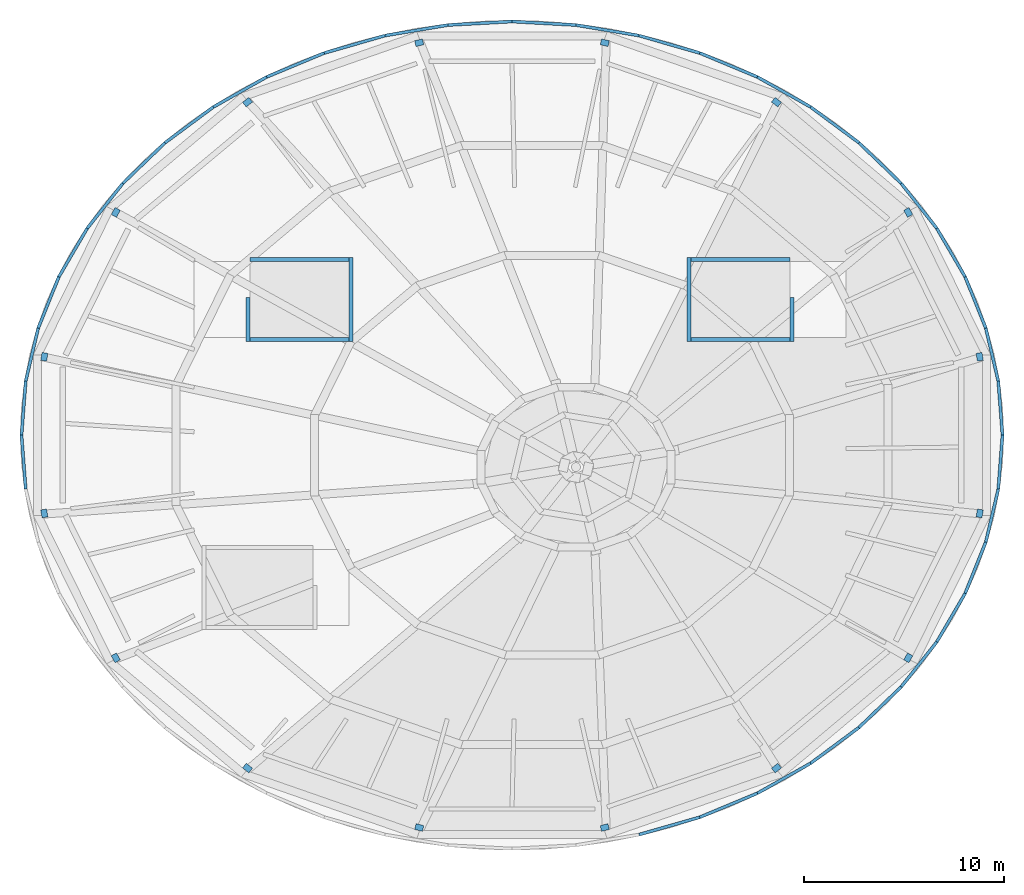
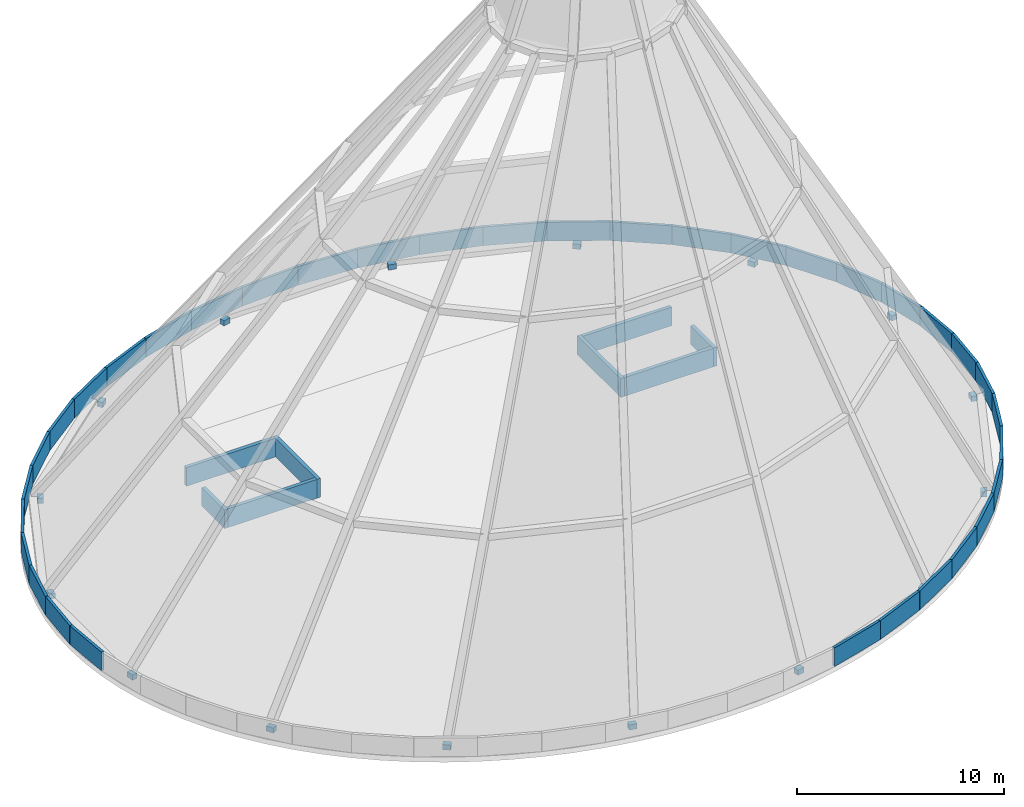
# One storey, part 6 of 7: 43 walls, 16 discrete accessories.
"""IFC4 building model written with IfcOpenShell, lengths in metres."""

from ifc_helpers import new_model, si_unit, direction, frame, frame_2d, origin, origin_2d, place, context, subcontext, project, spatial, rectangle, extrude, material, layer, layer_set, type_object, element, save


model = new_model("IFC4")

# Units and contexts
model_context = context("Model", 3, precision=1e-05, world=origin(), true_north=direction((0.0, 1.0)))
body_context = subcontext(model_context, "Body", "Model", "MODEL_VIEW")
ifc_project = project(units=[si_unit("LENGTHUNIT", "METRE"), si_unit("AREAUNIT", "SQUARE_METRE"), si_unit("VOLUMEUNIT", "CUBIC_METRE"), si_unit("PLANEANGLEUNIT", "RADIAN"), si_unit("MASSUNIT", "GRAM", prefix="KILO")], contexts=[model_context])

# Site, building, storey
site_placement = place(None, origin())
site = spatial("IfcSite", under=ifc_project, at=site_placement, CompositionType="ELEMENT")
building_placement = place(site_placement, origin())
building = spatial("IfcBuilding", under=site, at=building_placement, Name="Marenthal Gate Tower", CompositionType="ELEMENT")
storey_placement = place(building_placement, frame((0.0, 0.0, 423.550048828125)))
storey = spatial("IfcBuildingStorey", under=building, at=storey_placement, Name="RF", CompositionType="ELEMENT", Elevation=423.550048828125)

# Walls
ifc_material_1 = material(Name="Concrete 40 MPa", Category="concrete")
ifc_layer_1 = layer(ifc_material_1, 0.14990234375)
ifc_layer_set_1 = layer_set([ifc_layer_1], Name="Roof parapet 150")
wall_type_1 = type_object("IfcWallType", Name="Roof parapet 150", PredefinedType="PARAPET", material=ifc_layer_set_1)
wall_1_placement = place(storey_placement, frame((24.139892578125, 0.89990234375, 0.0), z_axis=(0.0, 0.0, 1.0), x_axis=(-0.077454954989, 0.996995852523, 0.0)))
element("IfcWall", 1, at=wall_1_placement, inside=storey, type_object=wall_type_1, Name="Roof parapet 1", PredefinedType="PARAPET", context=body_context, shape_type="SweptSolid", body=[
    extrude(rectangle(XDim=2.70751953125, YDim=0.14990234375, at=frame_2d((1.353759765625, 0.0))), origin(), (0.0, 0.0, 1.0), 1.099853515625),
])
wall_2_placement = place(storey_placement, frame((23.93017578125, 3.599365234375, 0.0), z_axis=(0.0, 0.0, 1.0), x_axis=(-0.229363793373, 0.973340767815, 0.0)))
element("IfcWall", 2, at=wall_2_placement, inside=storey, type_object=wall_type_1, Name="Roof parapet 2", PredefinedType="PARAPET", context=body_context, shape_type="SweptSolid", body=[
    extrude(rectangle(XDim=2.72607421875, YDim=0.14990234375, at=frame_2d((1.363037109375, 0.0))), origin(), (0.0, 0.0, 1.0), 1.099853515625),
])
wall_3_placement = place(storey_placement, frame((23.304931640625, 6.252685546875, 0.0), z_axis=(0.0, 0.0, 1.0), x_axis=(-0.373294973971, 0.927712704671, 0.0)))
element("IfcWall", 3, at=wall_3_placement, inside=storey, type_object=wall_type_1, Name="Roof parapet 3", PredefinedType="PARAPET", context=body_context, shape_type="SweptSolid", body=[
    extrude(rectangle(XDim=2.761962890625, YDim=0.14990234375, at=frame_2d((1.380859375, 0.0))), origin(), (0.0, 0.0, 1.0), 1.099853515625),
])
wall_4_placement = place(storey_placement, frame((22.27392578125, 8.81494140625, 0.0), z_axis=(0.0, 0.0, 1.0), x_axis=(-0.504615935568, 0.863343939326, 0.0)))
element("IfcWall", 4, at=wall_4_placement, inside=storey, type_object=wall_type_1, Name="Roof parapet 4", PredefinedType="PARAPET", context=body_context, shape_type="SweptSolid", body=[
    extrude(rectangle(XDim=2.8115234375, YDim=0.14990234375, at=frame_2d((1.40576171875, 0.0))), origin(), (0.0, 0.0, 1.0), 1.099853515625),
])
wall_5_placement = place(storey_placement, frame((20.855224609375, 11.2421875, 0.0), z_axis=(0.0, 0.0, 1.0), x_axis=(-0.620787889402, 0.783978568822, 0.0)))
element("IfcWall", 5, at=wall_5_placement, inside=storey, type_object=wall_type_1, Name="Roof parapet 5", PredefinedType="PARAPET", context=body_context, shape_type="SweptSolid", body=[
    extrude(rectangle(XDim=2.870849609375, YDim=0.14990234375, at=frame_2d((1.435546875, 0.0))), origin(), (0.0, 0.0, 1.0), 1.099853515625),
])
wall_6_placement = place(storey_placement, frame((19.072998046875, 13.492919921875, 0.0), z_axis=(0.0, 0.0, 1.0), x_axis=(-0.72065249013, 0.693296465063, 0.0)))
element("IfcWall", 6, at=wall_6_placement, inside=storey, type_object=wall_type_1, Name="Roof parapet 6", PredefinedType="PARAPET", context=body_context, shape_type="SweptSolid", body=[
    extrude(rectangle(XDim=2.936279296875, YDim=0.14990234375, at=frame_2d((1.46826171875, 0.0))), origin(), (0.0, 0.0, 1.0), 1.099853515625),
])
wall_7_placement = place(storey_placement, frame((16.95703125, 15.528564453125, 0.0), z_axis=(0.0, 0.0, 1.0), x_axis=(-0.80384812122, 0.594834597188, 0.0)))
element("IfcWall", 7, at=wall_7_placement, inside=storey, type_object=wall_type_1, Name="Roof parapet 7", PredefinedType="PARAPET", context=body_context, shape_type="SweptSolid", body=[
    extrude(rectangle(XDim=3.001953125, YDim=0.14990234375, at=frame_2d((1.5009765625, 0.0))), origin(), (0.0, 0.0, 1.0), 1.099853515625),
])
wall_8_placement = place(storey_placement, frame((14.5439453125, 17.314208984375, 0.0), z_axis=(0.0, 0.0, 1.0), x_axis=(-0.871092096257, 0.491119700112, 0.0)))
element("IfcWall", 8, at=wall_8_placement, inside=storey, type_object=wall_type_1, Name="Roof parapet 8", PredefinedType="PARAPET", context=body_context, shape_type="SweptSolid", body=[
    extrude(rectangle(XDim=3.064208984375, YDim=0.14990234375, at=frame_2d((1.5322265625, 0.0))), origin(), (0.0, 0.0, 1.0), 1.099853515625),
])
wall_9_placement = place(storey_placement, frame((11.874755859375, 18.819091796875, 0.0), z_axis=(0.0, 0.0, 1.0), x_axis=(-0.923259770308, 0.384176257115, 0.0)))
element("IfcWall", 9, at=wall_9_placement, inside=storey, type_object=wall_type_1, Name="Roof parapet 9", PredefinedType="PARAPET", context=body_context, shape_type="SweptSolid", body=[
    extrude(rectangle(XDim=3.118896484375, YDim=0.14990234375, at=frame_2d((1.5595703125, 0.0))), origin(), (0.0, 0.0, 1.0), 1.099853515625),
])
wall_10_placement = place(storey_placement, frame((8.9951171875, 20.017333984375, 0.0), z_axis=(0.0, 0.0, 1.0), x_axis=(-0.961351911395, 0.275322542589, 0.0)))
element("IfcWall", 10, at=wall_10_placement, inside=storey, type_object=wall_type_1, Name="Roof parapet 10", PredefinedType="PARAPET", context=body_context, shape_type="SweptSolid", body=[
    extrude(rectangle(XDim=3.1630859375, YDim=0.14990234375, at=frame_2d((1.58154296875, 0.0))), origin(), (0.0, 0.0, 1.0), 1.099853515625),
])
wall_11_placement = place(storey_placement, frame((5.954345703125, 20.88818359375, 0.0), z_axis=(0.0, 0.0, 1.0), x_axis=(-0.98620942701, 0.165502163358, 0.0)))
element("IfcWall", 11, at=wall_11_placement, inside=storey, type_object=wall_type_1, Name="Roof parapet 11", PredefinedType="PARAPET", context=body_context, shape_type="SweptSolid", body=[
    extrude(rectangle(XDim=3.193603515625, YDim=0.14990234375, at=frame_2d((1.5966796875, 0.0))), origin(), (0.0, 0.0, 1.0), 1.099853515625),
])
wall_12_placement = place(storey_placement, frame((2.8046875, 21.416748046875, 0.0), z_axis=(0.0, 0.0, 1.0), x_axis=(-0.998473898589, 0.055225662835, 0.0)))
element("IfcWall", 12, at=wall_12_placement, inside=storey, type_object=wall_type_1, Name="Roof parapet 12", PredefinedType="PARAPET", context=body_context, shape_type="SweptSolid", body=[
    extrude(rectangle(XDim=3.20947265625, YDim=0.14990234375, at=frame_2d((1.604736328125, 0.0))), origin(), (0.0, 0.0, 1.0), 1.099853515625),
])
wall_13_placement = place(storey_placement, frame((-0.39990234375, 21.593994140625, 0.0), z_axis=(0.0, 0.0, 1.0), x_axis=(-0.998474130562, -0.055221468636, 0.0)))
element("IfcWall", 13, at=wall_13_placement, inside=storey, type_object=wall_type_1, Name="Roof parapet 13", PredefinedType="PARAPET", context=body_context, shape_type="SweptSolid", body=[
    extrude(rectangle(XDim=3.209716796875, YDim=0.14990234375, at=frame_2d((1.60498046875, 0.0))), origin(), (0.0, 0.0, 1.0), 1.099853515625),
])
wall_14_placement = place(storey_placement, frame((-3.604736328125, 21.416748046875, 0.0), z_axis=(0.0, 0.0, 1.0), x_axis=(-0.986207332887, -0.165514641527, 0.0)))
element("IfcWall", 14, at=wall_14_placement, inside=storey, type_object=wall_type_1, Name="Roof parapet 14", PredefinedType="PARAPET", context=body_context, shape_type="SweptSolid", body=[
    extrude(rectangle(XDim=3.193359375, YDim=0.14990234375, at=frame_2d((1.5966796875, 0.0))), origin(), (0.0, 0.0, 1.0), 1.099853515625),
])
wall_15_placement = place(storey_placement, frame((-6.754150390625, 20.88818359375, 0.0), z_axis=(0.0, 0.0, 1.0), x_axis=(-0.961357761637, -0.275302114303, 0.0)))
element("IfcWall", 15, at=wall_15_placement, inside=storey, type_object=wall_type_1, Name="Roof parapet 15", PredefinedType="PARAPET", context=body_context, shape_type="SweptSolid", body=[
    extrude(rectangle(XDim=3.163330078125, YDim=0.14990234375, at=frame_2d((1.58154296875, 0.0))), origin(), (0.0, 0.0, 1.0), 1.099853515625),
])
wall_16_placement = place(storey_placement, frame((-9.795166015625, 20.017333984375, 0.0), z_axis=(0.0, 0.0, 1.0), x_axis=(-0.923248216262, -0.384204022843, 0.0)))
element("IfcWall", 16, at=wall_16_placement, inside=storey, type_object=wall_type_1, Name="Roof parapet 16", PredefinedType="PARAPET", context=body_context, shape_type="SweptSolid", body=[
    extrude(rectangle(XDim=3.11865234375, YDim=0.14990234375, at=frame_2d((1.559326171875, 0.0))), origin(), (0.0, 0.0, 1.0), 1.099853515625),
])
wall_17_placement = place(storey_placement, frame((-12.674560546875, 18.819091796875, 0.0), z_axis=(0.0, 0.0, 1.0), x_axis=(-0.871111311869, -0.491085616093, 0.0)))
element("IfcWall", 17, at=wall_17_placement, inside=storey, type_object=wall_type_1, Name="Roof parapet 17", PredefinedType="PARAPET", context=body_context, shape_type="SweptSolid", body=[
    extrude(rectangle(XDim=3.064453125, YDim=0.14990234375, at=frame_2d((1.5322265625, 0.0))), origin(), (0.0, 0.0, 1.0), 1.099853515625),
])
wall_18_placement = place(storey_placement, frame((-15.343994140625, 17.314208984375, 0.0), z_axis=(0.0, 0.0, 1.0), x_axis=(-0.80384812122, -0.594834597188, 0.0)))
element("IfcWall", 18, at=wall_18_placement, inside=storey, type_object=wall_type_1, Name="Roof parapet 18", PredefinedType="PARAPET", context=body_context, shape_type="SweptSolid", body=[
    extrude(rectangle(XDim=3.001953125, YDim=0.14990234375, at=frame_2d((1.5009765625, 0.0))), origin(), (0.0, 0.0, 1.0), 1.099853515625),
])
wall_19_placement = place(storey_placement, frame((-17.757080078125, 15.528564453125, 0.0), z_axis=(0.0, 0.0, 1.0), x_axis=(-0.720612520134, -0.693338009795, 0.0)))
element("IfcWall", 19, at=wall_19_placement, inside=storey, type_object=wall_type_1, Name="Roof parapet 19", PredefinedType="PARAPET", context=body_context, shape_type="SweptSolid", body=[
    extrude(rectangle(XDim=2.93603515625, YDim=0.14990234375, at=frame_2d((1.468017578125, 0.0))), origin(), (0.0, 0.0, 1.0), 1.099853515625),
])
wall_20_placement = place(storey_placement, frame((-19.872802734375, 13.492919921875, 0.0), z_axis=(0.0, 0.0, 1.0), x_axis=(-0.620840152406, -0.783937181897, 0.0)))
element("IfcWall", 20, at=wall_20_placement, inside=storey, type_object=wall_type_1, Name="Roof parapet 20", PredefinedType="PARAPET", context=body_context, shape_type="SweptSolid", body=[
    extrude(rectangle(XDim=2.87109375, YDim=0.14990234375, at=frame_2d((1.435546875, 0.0))), origin(), (0.0, 0.0, 1.0), 1.099853515625),
])
wall_21_placement = place(storey_placement, frame((-21.6552734375, 11.2421875, 0.0), z_axis=(0.0, 0.0, 1.0), x_axis=(-0.504615935568, -0.863343939326, 0.0)))
element("IfcWall", 21, at=wall_21_placement, inside=storey, type_object=wall_type_1, Name="Roof parapet 21", PredefinedType="PARAPET", context=body_context, shape_type="SweptSolid", body=[
    extrude(rectangle(XDim=2.8115234375, YDim=0.14990234375, at=frame_2d((1.40576171875, 0.0))), origin(), (0.0, 0.0, 1.0), 1.099853515625),
])
wall_22_placement = place(storey_placement, frame((-23.073974609375, 8.81494140625, 0.0), z_axis=(0.0, 0.0, 1.0), x_axis=(-0.373218892384, -0.927743314914, 0.0)))
element("IfcWall", 22, at=wall_22_placement, inside=storey, type_object=wall_type_1, Name="Roof parapet 22", PredefinedType="PARAPET", context=body_context, shape_type="SweptSolid", body=[
    extrude(rectangle(XDim=2.76171875, YDim=0.14990234375, at=frame_2d((1.380859375, 0.0))), origin(), (0.0, 0.0, 1.0), 1.099853515625),
])
wall_23_placement = place(storey_placement, frame((-24.104736328125, 6.252685546875, 0.0), z_axis=(0.0, 0.0, 1.0), x_axis=(-0.229448639442, -0.97332077028, 0.0)))
element("IfcWall", 23, at=wall_23_placement, inside=storey, type_object=wall_type_1, Name="Roof parapet 23", PredefinedType="PARAPET", context=body_context, shape_type="SweptSolid", body=[
    extrude(rectangle(XDim=2.72607421875, YDim=0.14990234375, at=frame_2d((1.363037109375, 0.0))), origin(), (0.0, 0.0, 1.0), 1.099853515625),
])
wall_24_placement = place(storey_placement, frame((-24.730224609375, 3.599365234375, 0.0), z_axis=(0.0, 0.0, 1.0), x_axis=(-0.077454954989, -0.996995852523, 0.0)))
element("IfcWall", 24, at=wall_24_placement, inside=storey, type_object=wall_type_1, Name="Roof parapet 24", PredefinedType="PARAPET", context=body_context, shape_type="SweptSolid", body=[
    extrude(rectangle(XDim=2.70751953125, YDim=0.14990234375, at=frame_2d((1.353759765625, 0.0))), origin(), (0.0, 0.0, 1.0), 1.099853515625),
])
wall_25_placement = place(storey_placement, frame((-24.93994140625, 0.89990234375, 0.0), z_axis=(0.0, 0.0, 1.0), x_axis=(0.077461918649, -0.996995311503, 0.0)))
element("IfcWall", 25, at=wall_25_placement, inside=storey, type_object=wall_type_1, Name="Roof parapet 25", PredefinedType="PARAPET", context=body_context, shape_type="SweptSolid", body=[
    extrude(rectangle(XDim=2.707275390625, YDim=0.14990234375, at=frame_2d((1.353515625, 0.0))), origin(), (0.0, 0.0, 1.0), 1.099853515625),
])
wall_26_placement = place(storey_placement, frame((5.954345703125, -19.088134765625, 0.0), z_axis=(0.0, 0.0, 1.0), x_axis=(0.961351911395, 0.275322542589, 0.0)))
element("IfcWall", 26, at=wall_26_placement, inside=storey, type_object=wall_type_1, Name="Roof parapet 39", PredefinedType="PARAPET", context=body_context, shape_type="SweptSolid", body=[
    extrude(rectangle(XDim=3.1630859375, YDim=0.14990234375, at=frame_2d((1.58154296875, 0.0))), origin(), (0.0, 0.0, 1.0), 1.099853515625),
])
wall_27_placement = place(storey_placement, frame((8.9951171875, -18.21728515625, 0.0), z_axis=(0.0, 0.0, 1.0), x_axis=(0.923259770308, 0.384176257115, 0.0)))
element("IfcWall", 27, at=wall_27_placement, inside=storey, type_object=wall_type_1, Name="Roof parapet 40", PredefinedType="PARAPET", context=body_context, shape_type="SweptSolid", body=[
    extrude(rectangle(XDim=3.118896484375, YDim=0.14990234375, at=frame_2d((1.5595703125, 0.0))), origin(), (0.0, 0.0, 1.0), 1.099853515625),
])
wall_28_placement = place(storey_placement, frame((11.874755859375, -17.01904296875, 0.0), z_axis=(0.0, 0.0, 1.0), x_axis=(0.871092096257, 0.491119700112, 0.0)))
element("IfcWall", 28, at=wall_28_placement, inside=storey, type_object=wall_type_1, Name="Roof parapet 41", PredefinedType="PARAPET", context=body_context, shape_type="SweptSolid", body=[
    extrude(rectangle(XDim=3.064208984375, YDim=0.14990234375, at=frame_2d((1.5322265625, 0.0))), origin(), (0.0, 0.0, 1.0), 1.099853515625),
])
wall_29_placement = place(storey_placement, frame((14.5439453125, -15.51416015625, 0.0), z_axis=(0.0, 0.0, 1.0), x_axis=(0.80384812122, 0.594834597188, 0.0)))
element("IfcWall", 29, at=wall_29_placement, inside=storey, type_object=wall_type_1, Name="Roof parapet 42", PredefinedType="PARAPET", context=body_context, shape_type="SweptSolid", body=[
    extrude(rectangle(XDim=3.001953125, YDim=0.14990234375, at=frame_2d((1.5009765625, 0.0))), origin(), (0.0, 0.0, 1.0), 1.099853515625),
])
wall_30_placement = place(storey_placement, frame((16.95703125, -13.728515625, 0.0), z_axis=(0.0, 0.0, 1.0), x_axis=(0.72065249013, 0.693296465063, 0.0)))
element("IfcWall", 30, at=wall_30_placement, inside=storey, type_object=wall_type_1, Name="Roof parapet 43", PredefinedType="PARAPET", context=body_context, shape_type="SweptSolid", body=[
    extrude(rectangle(XDim=2.936279296875, YDim=0.14990234375, at=frame_2d((1.46826171875, 0.0))), origin(), (0.0, 0.0, 1.0), 1.099853515625),
])
wall_31_placement = place(storey_placement, frame((19.072998046875, -11.69287109375, 0.0), z_axis=(0.0, 0.0, 1.0), x_axis=(0.620787889402, 0.783978568822, 0.0)))
element("IfcWall", 31, at=wall_31_placement, inside=storey, type_object=wall_type_1, Name="Roof parapet 44", PredefinedType="PARAPET", context=body_context, shape_type="SweptSolid", body=[
    extrude(rectangle(XDim=2.870849609375, YDim=0.14990234375, at=frame_2d((1.435546875, 0.0))), origin(), (0.0, 0.0, 1.0), 1.099853515625),
])
wall_32_placement = place(storey_placement, frame((20.855224609375, -9.442138671875, 0.0), z_axis=(0.0, 0.0, 1.0), x_axis=(0.504615935568, 0.863343939326, 0.0)))
element("IfcWall", 32, at=wall_32_placement, inside=storey, type_object=wall_type_1, Name="Roof parapet 45", PredefinedType="PARAPET", context=body_context, shape_type="SweptSolid", body=[
    extrude(rectangle(XDim=2.8115234375, YDim=0.14990234375, at=frame_2d((1.40576171875, 0.0))), origin(), (0.0, 0.0, 1.0), 1.099853515625),
])
wall_33_placement = place(storey_placement, frame((22.27392578125, -7.014892578125, 0.0), z_axis=(0.0, 0.0, 1.0), x_axis=(0.373294973971, 0.927712704671, 0.0)))
element("IfcWall", 33, at=wall_33_placement, inside=storey, type_object=wall_type_1, Name="Roof parapet 46", PredefinedType="PARAPET", context=body_context, shape_type="SweptSolid", body=[
    extrude(rectangle(XDim=2.761962890625, YDim=0.14990234375, at=frame_2d((1.380859375, 0.0))), origin(), (0.0, 0.0, 1.0), 1.099853515625),
])
wall_34_placement = place(storey_placement, frame((23.304931640625, -4.45263671875, 0.0), z_axis=(0.0, 0.0, 1.0), x_axis=(0.229363793373, 0.973340767815, 0.0)))
element("IfcWall", 34, at=wall_34_placement, inside=storey, type_object=wall_type_1, Name="Roof parapet 47", PredefinedType="PARAPET", context=body_context, shape_type="SweptSolid", body=[
    extrude(rectangle(XDim=2.72607421875, YDim=0.14990234375, at=frame_2d((1.363037109375, 0.0))), origin(), (0.0, 0.0, 1.0), 1.099853515625),
])
wall_35_placement = place(storey_placement, frame((23.93017578125, -1.79931640625, 0.0), z_axis=(0.0, 0.0, 1.0), x_axis=(0.077461918649, 0.996995311503, 0.0)))
element("IfcWall", 35, at=wall_35_placement, inside=storey, type_object=wall_type_1, Name="Roof parapet 48", PredefinedType="PARAPET", context=body_context, shape_type="SweptSolid", body=[
    extrude(rectangle(XDim=2.707275390625, YDim=0.14990234375, at=frame_2d((1.353515625, 0.0))), origin(), (0.0, 0.0, 1.0), 1.099853515625),
])
ifc_material_2 = material(Name="Concrete 40 MPa", Category="concrete")
ifc_layer_2 = layer(ifc_material_2, 0.199951171875)
ifc_layer_set_2 = layer_set([ifc_layer_2], Name="Roof upstand wall 200")
wall_type_2 = type_object("IfcWallType", Name="Roof upstand wall 200", PredefinedType="STANDARD", material=ifc_layer_set_2)
wall_36_placement = place(storey_placement, frame((-13.5, 5.675048828125, 0.0), z_axis=(0.0, 0.0, 1.0), x_axis=(1.0, 0.0, 0.0)))
element("IfcWall", 36, at=wall_36_placement, inside=storey, type_object=wall_type_2, Name="Roof wall 01", PredefinedType="STANDARD", context=body_context, shape_type="SweptSolid", body=[
    extrude(rectangle(XDim=5.14990234375, YDim=0.199951171875, at=frame_2d((2.574951171875, 0.0))), origin(), (0.0, 0.0, 1.0), 1.099853515625),
])
wall_37_placement = place(storey_placement, frame((-8.449951171875, 5.574951171875, 0.0), z_axis=(0.0, 0.0, 1.0), x_axis=(0.0, 1.0, 0.0)))
element("IfcWall", 37, at=wall_37_placement, inside=storey, type_object=wall_type_2, Name="Roof wall 02", PredefinedType="STANDARD", context=body_context, shape_type="SweptSolid", body=[
    extrude(rectangle(XDim=4.199951171875, YDim=0.199951171875, at=frame_2d((2.10009765625, 0.0))), origin(), (0.0, 0.0, 1.0), 1.099853515625),
])
wall_38_placement = place(storey_placement, frame((-13.5, 9.675048828125, 0.0), z_axis=(0.0, 0.0, 1.0), x_axis=(1.0, 0.0, 0.0)))
element("IfcWall", 38, at=wall_38_placement, inside=storey, type_object=wall_type_2, Name="Roof wall 03", PredefinedType="STANDARD", context=body_context, shape_type="SweptSolid", body=[
    extrude(rectangle(XDim=5.14990234375, YDim=0.199951171875, at=frame_2d((2.574951171875, 0.0))), origin(), (0.0, 0.0, 1.0), 1.099853515625),
])
wall_39_placement = place(storey_placement, frame((-13.60009765625, 5.574951171875, 0.0), z_axis=(0.0, 0.0, 1.0), x_axis=(0.0, 1.0, 0.0)))
element("IfcWall", 39, at=wall_39_placement, inside=storey, type_object=wall_type_2, Name="Roof wall 04", PredefinedType="STANDARD", context=body_context, shape_type="SweptSolid", body=[
    extrude(rectangle(XDim=2.199951171875, YDim=0.199951171875, at=frame_2d((1.10009765625, 0.0))), origin(), (0.0, 0.0, 1.0), 1.099853515625),
])
wall_40_placement = place(storey_placement, frame((13.5, 5.675048828125, 0.0), z_axis=(0.0, 0.0, 1.0), x_axis=(-1.0, 0.0, 0.0)))
element("IfcWall", 40, at=wall_40_placement, inside=storey, type_object=wall_type_2, Name="Roof wall 09", PredefinedType="STANDARD", context=body_context, shape_type="SweptSolid", body=[
    extrude(rectangle(XDim=5.14990234375, YDim=0.199951171875, at=frame_2d((2.574951171875, 0.0))), origin(), (0.0, 0.0, 1.0), 1.099853515625),
])
wall_41_placement = place(storey_placement, frame((8.449951171875, 5.574951171875, 0.0), z_axis=(0.0, 0.0, 1.0), x_axis=(0.0, 1.0, 0.0)))
element("IfcWall", 41, at=wall_41_placement, inside=storey, type_object=wall_type_2, Name="Roof wall 10", PredefinedType="STANDARD", context=body_context, shape_type="SweptSolid", body=[
    extrude(rectangle(XDim=4.199951171875, YDim=0.199951171875, at=frame_2d((2.10009765625, 0.0))), origin(), (0.0, 0.0, 1.0), 1.099853515625),
])
wall_42_placement = place(storey_placement, frame((13.5, 9.675048828125, 0.0), z_axis=(0.0, 0.0, 1.0), x_axis=(-1.0, 0.0, 0.0)))
element("IfcWall", 42, at=wall_42_placement, inside=storey, type_object=wall_type_2, Name="Roof wall 11", PredefinedType="STANDARD", context=body_context, shape_type="SweptSolid", body=[
    extrude(rectangle(XDim=5.14990234375, YDim=0.199951171875, at=frame_2d((2.574951171875, 0.0))), origin(), (0.0, 0.0, 1.0), 1.099853515625),
])
wall_43_placement = place(storey_placement, frame((13.60009765625, 5.574951171875, 0.0), z_axis=(0.0, 0.0, 1.0), x_axis=(0.0, 1.0, 0.0)))
element("IfcWall", 43, at=wall_43_placement, inside=storey, type_object=wall_type_2, Name="Roof wall 12", PredefinedType="STANDARD", context=body_context, shape_type="SweptSolid", body=[
    extrude(rectangle(XDim=2.199951171875, YDim=0.199951171875, at=frame_2d((1.10009765625, 0.0))), origin(), (0.0, 0.0, 1.0), 1.099853515625),
])

# Discrete accessories
ifc_material_3 = material(Name="Steel S355", Category="steel")
discrete_accessory_type = type_object("IfcDiscreteAccessoryType", Name="Crown hip anchor bracket", PredefinedType="BRACKET", material=ifc_material_3)
for number, where, z_axis, x_axis, name in (
    (44, (22.998779296875, 4.815185546875, 0.0), (0.0, 0.0, 1.0), (0.165025922086, -0.986289229912, 0.0), "Crown hip anchor bracket 1"),
    (45, (19.423828125, 12.0419921875, 0.0), (0.0, 0.0, 1.0), (0.489966021142, -0.87174153172, 0.0), "Crown hip anchor bracket 2"),
    (46, (12.831787109375, 17.5576171875, 0.0), (0.0, 0.0, 1.0), (0.783026074035, -0.621988880433, 0.0), "Crown hip anchor bracket 3"),
    (47, (4.2421875, 20.53125, 0.0), (0.0, 0.0, 1.0), (0.973161470114, -0.230123343198, 0.0), "Crown hip anchor bracket 4"),
    (48, (-5.042236328125, 20.53125, 0.0), (0.0, 0.0, 1.0), (0.973161470114, 0.230123343198, 0.0), "Crown hip anchor bracket 5"),
    (49, (-13.6318359375, 17.5576171875, 0.0), (0.0, 0.0, 1.0), (0.783026074035, 0.621988880433, 0.0), "Crown hip anchor bracket 6"),
    (50, (-20.2236328125, 12.0419921875, 0.0), (0.0, 0.0, 1.0), (0.489966021142, 0.87174153172, 0.0), "Crown hip anchor bracket 7"),
    (51, (-23.798583984375, 4.815185546875, 0.0), (0.0, 0.0, 1.0), (0.165025922086, 0.986289229912, 0.0), "Crown hip anchor bracket 8"),
    (52, (-23.798583984375, -3.01513671875, 0.0), (0.0, 0.0, 1.0), (-0.165025922086, 0.986289229912, 0.0), "Crown hip anchor bracket 9"),
    (53, (-20.2236328125, -10.241943359375, 0.0), (0.0, 0.0, 1.0), (-0.489966021142, 0.87174153172, 0.0), "Crown hip anchor bracket 10"),
    (54, (-13.6318359375, -15.757568359375, 0.0), (0.0, 0.0, 1.0), (-0.783026074035, 0.621988880433, 0.0), "Crown hip anchor bracket 11"),
    (55, (-5.042236328125, -18.731201171875, 0.0), (0.0, 0.0, 1.0), (-0.973161470114, 0.230123343198, 0.0), "Crown hip anchor bracket 12"),
    (56, (4.2421875, -18.731201171875, 0.0), (0.0, 0.0, 1.0), (-0.973161470114, -0.230123343198, 0.0), "Crown hip anchor bracket 13"),
    (57, (12.831787109375, -15.757568359375, 0.0), (0.0, 0.0, 1.0), (-0.783026074035, -0.621988880433, 0.0), "Crown hip anchor bracket 14"),
    (58, (19.423828125, -10.241943359375, 0.0), (0.0, 0.0, 1.0), (-0.489966021142, -0.87174153172, 0.0), "Crown hip anchor bracket 15"),
    (59, (22.998779296875, -3.01513671875, 0.0), (0.0, 0.0, 1.0), (-0.165025922086, -0.986289229912, 0.0), "Crown hip anchor bracket 16"),
):
    element("IfcDiscreteAccessory", number, at=place(storey_placement, frame(where, z_axis=z_axis, x_axis=x_axis)), inside=storey, type_object=discrete_accessory_type, Name=name, PredefinedType="BRACKET", context=body_context, shape_type="SweptSolid", body=[
        extrude(rectangle(XDim=0.39990234375, YDim=0.300048828125, at=origin_2d()), origin(), (0.0, 0.0, 1.0), 0.300048828125),
    ])

save(model, "model.ifc")
